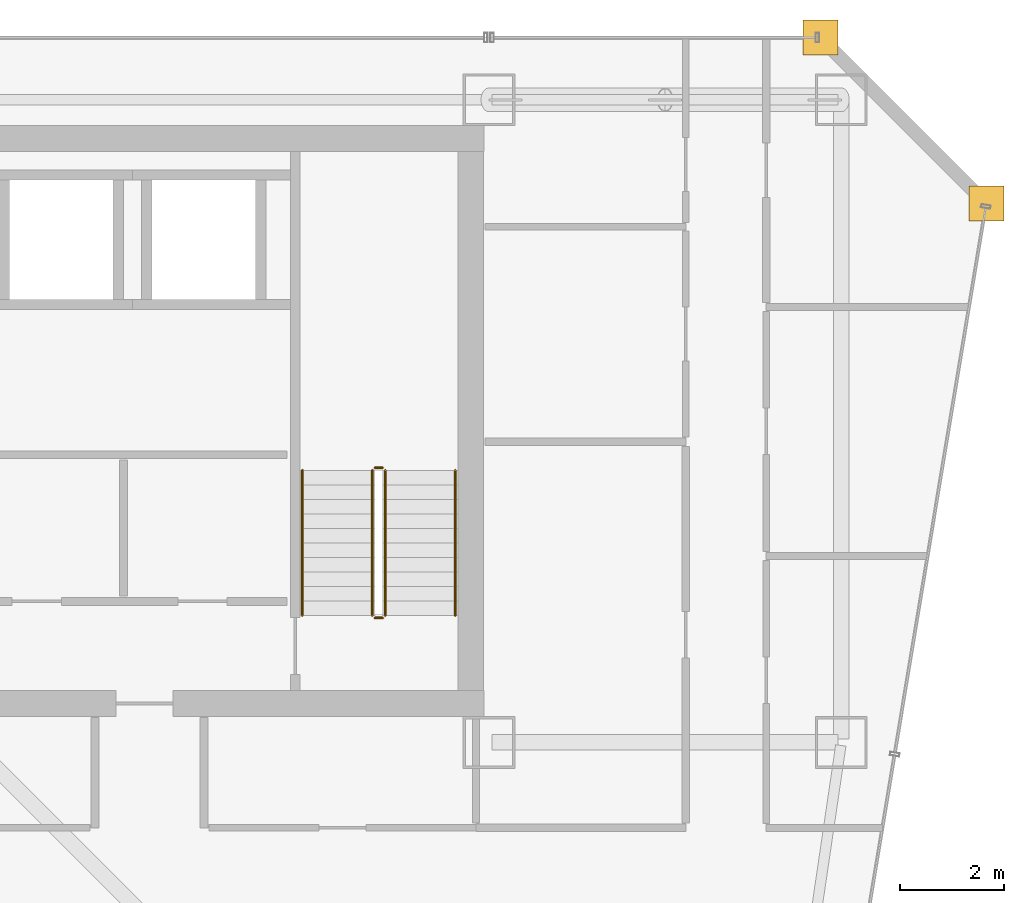
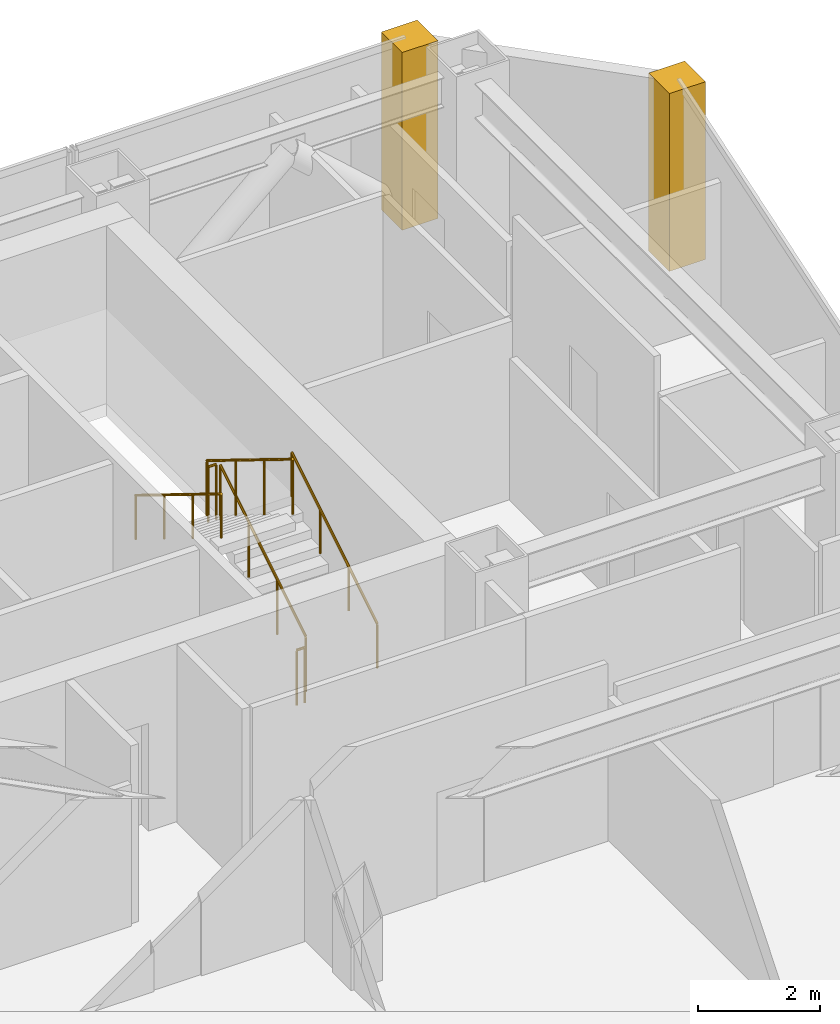
# One storey, part 38 of 38: 6 railings, 2 coverings.
"""IFC4 building model written with IfcOpenShell, lengths in metres."""

from ifc_helpers import new_model, si_unit, direction, frame, origin, origin_2d, place, context, subcontext, project, spatial, polyline, circle, outline, extrude, material, layer, layer_set, type_object, element, save


model = new_model("IFC4")

# Units and contexts
model_context = context("Model", 3, precision=1e-05, world=origin(), true_north=direction((0.0, 1.0)))
body_context = subcontext(model_context, "Body", "Model", "MODEL_VIEW")
ifc_project = project(units=[si_unit("LENGTHUNIT", "METRE"), si_unit("AREAUNIT", "SQUARE_METRE"), si_unit("VOLUMEUNIT", "CUBIC_METRE"), si_unit("PLANEANGLEUNIT", "RADIAN"), si_unit("MASSUNIT", "GRAM", prefix="KILO")], contexts=[model_context])

# Site, building, storey
site_placement = place(None, origin())
site = spatial("IfcSite", under=ifc_project, at=site_placement, CompositionType="ELEMENT")
building_placement = place(site_placement, origin())
building = spatial("IfcBuilding", under=site, at=building_placement, Name="Saevonmaru Cultural Tower", CompositionType="ELEMENT")
storey_placement = place(building_placement, frame((0.0, 0.0, 133.39990234375)))
storey = spatial("IfcBuildingStorey", under=building, at=storey_placement, Name="L28", CompositionType="ELEMENT", Elevation=133.39990234375)

# Coverings
ifc_material_1 = material(Name="Satin Bronze Anodised Aluminium", Category="aluminium")
ifc_layer = layer(ifc_material_1, 0.679931640625, Name="Satin Bronze Anodised Aluminium")
ifc_layer_set = layer_set([ifc_layer], Name="Satin Bronze Anodised Aluminium")
covering_type = type_object("IfcCoveringType", Name="CV-CORNER-CLAD", PredefinedType="CLADDING", material=ifc_layer_set)
covering_1_placement = place(storey_placement, origin())
element("IfcCovering", 1, at=covering_1_placement, inside=storey, type_object=covering_type, Name="L28 Tower Bronze Corner Cladding Pier 9", PredefinedType="CLADDING", context=body_context, shape_type="SweptSolid", body=[
    extrude(outline(polyline([(55.659912109375, 52.4599609375), (56.340087890625, 52.4599609375), (56.340087890625, 53.139892578125), (55.659912109375, 53.139892578125), (55.659912109375, 52.4599609375)])), origin(), (0.0, 0.0, 1.0), 3.550048828125),
])
covering_2_placement = place(storey_placement, origin())
element("IfcCovering", 2, at=covering_2_placement, inside=storey, type_object=covering_type, Name="L28 Tower Bronze Corner Cladding Pier 10", PredefinedType="CLADDING", context=body_context, shape_type="SweptSolid", body=[
    extrude(outline(polyline([(52.4599609375, 55.659912109375), (53.139892578125, 55.659912109375), (53.139892578125, 56.340087890625), (52.4599609375, 56.340087890625), (52.4599609375, 55.659912109375)])), origin(), (0.0, 0.0, 1.0), 3.550048828125),
])

# Railings
ifc_material_2 = material(Name="Architectural Painted Steel", Category="steel")
railing_type_1 = type_object("IfcRailingType", Name="RL-STAIR-GUARD", PredefinedType="GUARDRAIL", material=ifc_material_2)
railing_1_placement = place(storey_placement, frame((44.39990234375, 44.85009765625, 0.1728515625)))
element("IfcRailing", 3, at=railing_1_placement, inside=storey, type_object=railing_type_1, Name="L28 ST-2 stair guard 1", PredefinedType="GUARDRAIL", context=body_context, shape_type="SweptSolid", body=[
    extrude(circle(Radius=0.02392578125, at=origin_2d()), frame((0.0, 0.0, 1.09619140625), z_axis=(0.0, 0.851069175582, 0.525053576669), x_axis=(-1.0, 0.0, 0.0)), (0.0, 0.0, 1.0), 3.289794921875),
    extrude(circle(Radius=0.02099609375, at=origin_2d()), origin(), (0.0, 0.0, 1.0), 1.072021484375),
    extrude(circle(Radius=0.02099609375, at=origin_2d()), frame((0.0, 0.933349609375, 0.57568359375)), (0.0, 0.0, 1.0), 1.072021484375),
    extrude(circle(Radius=0.02099609375, at=origin_2d()), frame((0.0, 1.866455078125, 1.151611328125)), (0.0, 0.0, 1.0), 1.072021484375),
    extrude(circle(Radius=0.02099609375, at=origin_2d()), frame((0.0, 2.7998046875, 1.727294921875)), (0.0, 0.0, 1.0), 1.072021484375),
])
railing_2_placement = place(storey_placement, frame((44.35009765625, 47.699951171875, 1.900146484375)))
element("IfcRailing", 4, at=railing_2_placement, inside=storey, type_object=railing_type_1, Name="L28 ST-2 stair guard 2", PredefinedType="GUARDRAIL", context=body_context, shape_type="SweptSolid", body=[
    extrude(circle(Radius=0.02392578125, at=origin_2d()), frame((0.0, 0.0, 1.09619140625), z_axis=(-1.0, 0.0, 0.0), x_axis=(0.0, -1.0, 0.0)), (0.0, 0.0, 1.0), 0.150146484375),
    extrude(circle(Radius=0.02099609375, at=origin_2d()), origin(), (0.0, 0.0, 1.0), 1.072021484375),
    extrude(circle(Radius=0.02099609375, at=origin_2d()), frame((-0.150146484375, 0.0, 0.0)), (0.0, 0.0, 1.0), 1.072021484375),
])
railing_3_placement = place(storey_placement, frame((44.14990234375, 47.64990234375, 2.07275390625)))
element("IfcRailing", 5, at=railing_3_placement, inside=storey, type_object=railing_type_1, Name="L28 ST-2 stair guard 3", PredefinedType="GUARDRAIL", context=body_context, shape_type="SweptSolid", body=[
    extrude(circle(Radius=0.02392578125, at=origin_2d()), frame((0.0, 0.0, 1.09619140625), z_axis=(0.0, -0.851069175582, 0.525053576669), x_axis=(1.0, 0.0, 0.0)), (0.0, 0.0, 1.0), 3.289794921875),
    extrude(circle(Radius=0.02099609375, at=origin_2d()), origin(), (0.0, 0.0, 1.0), 1.072021484375),
    extrude(circle(Radius=0.02099609375, at=origin_2d()), frame((0.0, -0.933349609375, 0.57568359375)), (0.0, 0.0, 1.0), 1.072021484375),
    extrude(circle(Radius=0.02099609375, at=origin_2d()), frame((0.0, -1.866455078125, 1.151611328125)), (0.0, 0.0, 1.0), 1.072021484375),
    extrude(circle(Radius=0.02099609375, at=origin_2d()), frame((0.0, -2.7998046875, 1.727294921875)), (0.0, 0.0, 1.0), 1.072021484375),
])
railing_4_placement = place(storey_placement, frame((44.35009765625, 44.800048828125, 0.0)))
element("IfcRailing", 6, at=railing_4_placement, inside=storey, type_object=railing_type_1, Name="L28 ST-2 stair guard 4", PredefinedType="GUARDRAIL", context=body_context, shape_type="SweptSolid", body=[
    extrude(circle(Radius=0.02392578125, at=origin_2d()), frame((0.0, 0.0, 1.09619140625), z_axis=(-1.0, 0.0, 0.0), x_axis=(0.0, -1.0, 0.0)), (0.0, 0.0, 1.0), 0.150146484375),
    extrude(circle(Radius=0.02099609375, at=origin_2d()), origin(), (0.0, 0.0, 1.0), 1.072021484375),
    extrude(circle(Radius=0.02099609375, at=origin_2d()), frame((-0.150146484375, 0.0, 0.0)), (0.0, 0.0, 1.0), 1.072021484375),
])
railing_type_2 = type_object("IfcRailingType", Name="RL-STAIR-HANDRAIL", PredefinedType="HANDRAIL", material=ifc_material_1)
railing_5_placement = place(storey_placement, frame((45.75, 44.85009765625, 0.1728515625)))
element("IfcRailing", 7, at=railing_5_placement, inside=storey, type_object=railing_type_2, Name="L28 ST-2 stair handrail 1", PredefinedType="HANDRAIL", context=body_context, shape_type="SweptSolid", body=[
    extrude(circle(Radius=0.02392578125, at=origin_2d()), frame((0.0, 0.0, 0.8759765625), z_axis=(0.0, 0.851069175582, 0.525053576669), x_axis=(-1.0, 0.0, 0.0)), (0.0, 0.0, 1.0), 3.289794921875),
    extrude(circle(Radius=0.02099609375, at=origin_2d()), origin(), (0.0, 0.0, 1.0), 0.851806640625),
    extrude(circle(Radius=0.02099609375, at=origin_2d()), frame((0.0, 0.933349609375, 0.57568359375)), (0.0, 0.0, 1.0), 0.851806640625),
    extrude(circle(Radius=0.02099609375, at=origin_2d()), frame((0.0, 1.866455078125, 1.151611328125)), (0.0, 0.0, 1.0), 0.851806640625),
    extrude(circle(Radius=0.02099609375, at=origin_2d()), frame((0.0, 2.7998046875, 1.727294921875)), (0.0, 0.0, 1.0), 0.851806640625),
])
railing_6_placement = place(storey_placement, frame((42.800048828125, 47.64990234375, 2.07275390625)))
element("IfcRailing", 8, at=railing_6_placement, inside=storey, type_object=railing_type_2, Name="L28 ST-2 stair handrail 2", PredefinedType="HANDRAIL", context=body_context, shape_type="SweptSolid", body=[
    extrude(circle(Radius=0.02392578125, at=origin_2d()), frame((0.0, 0.0, 0.8759765625), z_axis=(0.0, -0.851069175582, 0.525053576669), x_axis=(1.0, 0.0, 0.0)), (0.0, 0.0, 1.0), 3.289794921875),
    extrude(circle(Radius=0.02099609375, at=origin_2d()), origin(), (0.0, 0.0, 1.0), 0.851806640625),
    extrude(circle(Radius=0.02099609375, at=origin_2d()), frame((0.0, -0.933349609375, 0.57568359375)), (0.0, 0.0, 1.0), 0.851806640625),
    extrude(circle(Radius=0.02099609375, at=origin_2d()), frame((0.0, -1.866455078125, 1.151611328125)), (0.0, 0.0, 1.0), 0.851806640625),
    extrude(circle(Radius=0.02099609375, at=origin_2d()), frame((0.0, -2.7998046875, 1.727294921875)), (0.0, 0.0, 1.0), 0.851806640625),
])

save(model, "model.ifc")
